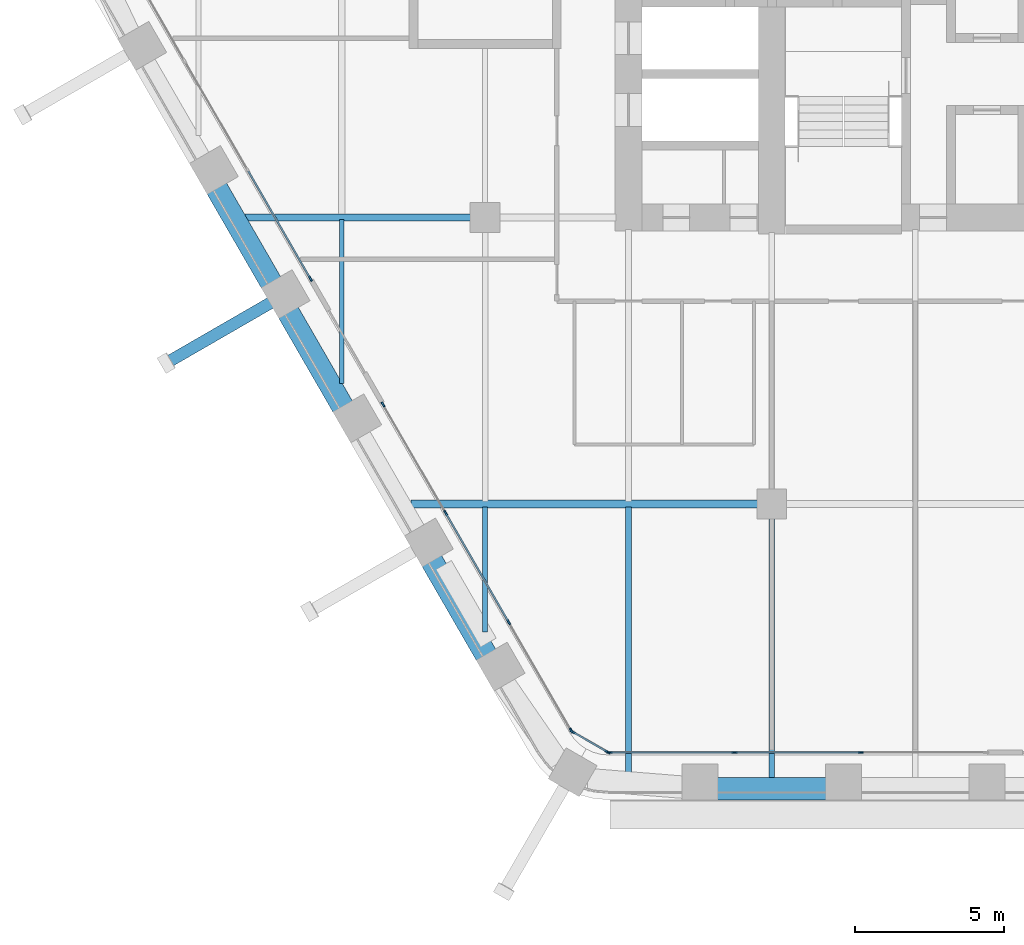
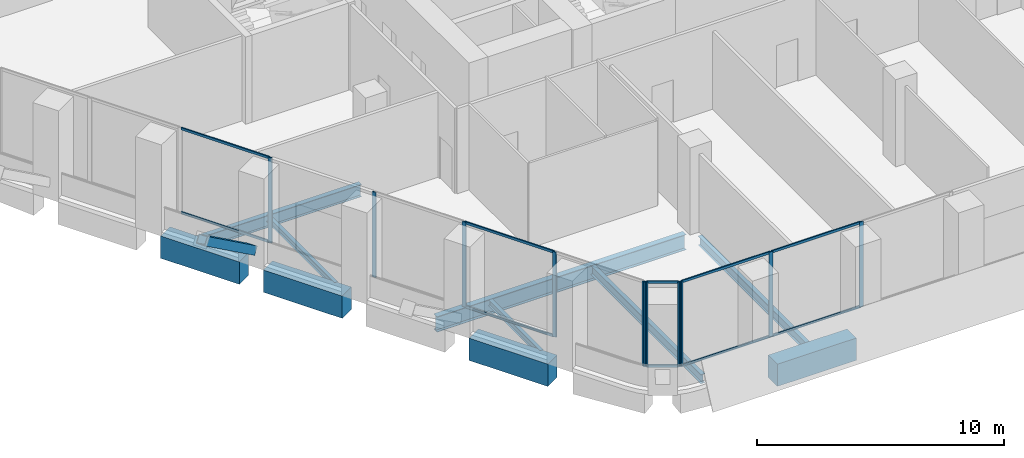
# One storey, part 2 of 27: 21 members, 10 beams, 4 elements without a shape of their own.
"""IFC4 building model written with IfcOpenShell, lengths in metres."""

from ifc_helpers import new_model, si_unit, direction, frame, origin, origin_2d, place, context, subcontext, project, spatial, rectangle, hollow_rectangle, i_section, extrude, material, material_profile, profile_set, type_object, element, aggregate, save


model = new_model("IFC4")

# Units and contexts
model_context = context("Model", 3, precision=1e-05, world=origin(), true_north=direction((0.0, 1.0)))
body_context = subcontext(model_context, "Body", "Model", "MODEL_VIEW")
ifc_project = project(units=[si_unit("LENGTHUNIT", "METRE"), si_unit("AREAUNIT", "SQUARE_METRE"), si_unit("VOLUMEUNIT", "CUBIC_METRE"), si_unit("PLANEANGLEUNIT", "RADIAN"), si_unit("MASSUNIT", "GRAM", prefix="KILO")], contexts=[model_context])

# Site, building, storey
site_placement = place(None, origin())
site = spatial("IfcSite", under=ifc_project, at=site_placement, CompositionType="ELEMENT")
building_placement = place(site_placement, origin())
building = spatial("IfcBuilding", under=site, at=building_placement, Name="Kolab Exchange Tower", CompositionType="ELEMENT")
storey_placement = place(building_placement, frame((0.0, 0.0, 118.39990234375)))
storey = spatial("IfcBuildingStorey", under=building, at=storey_placement, Name="L23", CompositionType="ELEMENT", Elevation=118.39990234375)

# Beams
ifc_material_1 = material(Name="Steel S355", Category="steel")
ifc_material_profile_1 = material_profile(ifc_material_1, i_section(OverallWidth=0.1650390625, OverallDepth=0.31005859375, WebThickness=0.005859375, FlangeThickness=0.009765625, at=origin_2d()), Name="W310X39")
ifc_profile_set_1 = profile_set([ifc_material_profile_1], Name="Steel S355")
beam_type_1 = type_object("IfcBeamType", Name="FLOOR BEAM W310X39", PredefinedType="BEAM", material=ifc_profile_set_1)
beam_1_placement = place(storey_placement, frame((-24.0, -15.167724609375, -0.35498046875), z_axis=(0.0, 1.0, 0.0), x_axis=(-1.0, 0.0, 0.0)))
element("IfcBeam", 1, at=beam_1_placement, inside=storey, type_object=beam_type_1, Name="beam/L23/fr/002", PredefinedType="BEAM", context=body_context, shape_type="SweptSolid", body=[
    extrude(i_section(OverallWidth=0.1650390625, OverallDepth=0.31005859375, WebThickness=0.005859375, FlangeThickness=0.009765625, at=origin_2d()), origin(), (0.0, 0.0, 1.0), 5.49365234375),
])
beam_2_placement = place(storey_placement, frame((-19.199951171875, -23.4814453125, -0.35498046875), z_axis=(0.0, 1.0, 0.0), x_axis=(-1.0, 0.0, 0.0)))
element("IfcBeam", 2, at=beam_2_placement, inside=storey, type_object=beam_type_1, Name="beam/L23/fr/006", PredefinedType="BEAM", context=body_context, shape_type="SweptSolid", body=[
    extrude(i_section(OverallWidth=0.1650390625, OverallDepth=0.31005859375, WebThickness=0.005859375, FlangeThickness=0.009765625, at=origin_2d()), origin(), (0.0, 0.0, 1.0), 4.18798828125),
])
ifc_material_profile_2 = material_profile(ifc_material_1, i_section(OverallWidth=0.18994140625, OverallDepth=0.45703125, WebThickness=0.009033203125, FlangeThickness=0.014404296875, at=origin_2d()), Name="W460X74")
ifc_profile_set_2 = profile_set([ifc_material_profile_2], Name="Steel S355")
beam_type_2 = type_object("IfcBeamType", Name="FLOOR BEAM W460X74", PredefinedType="BEAM", material=ifc_profile_set_2)
beam_3_placement = place(storey_placement, frame((-14.39990234375, -28.194580078125, -0.428466796875), z_axis=(0.0, 1.0, 0.0), x_axis=(-1.0, 0.0, 0.0)))
element("IfcBeam", 3, at=beam_3_placement, inside=storey, type_object=beam_type_2, Name="beam/L23/fr/012", PredefinedType="BEAM", context=body_context, shape_type="SweptSolid", body=[
    extrude(i_section(OverallWidth=0.18994140625, OverallDepth=0.45703125, WebThickness=0.009033203125, FlangeThickness=0.014404296875, at=origin_2d()), origin(), (0.0, 0.0, 1.0), 8.901123046875),
])
beam_4_placement = place(storey_placement, frame((-9.60009765625, -28.388427734375, -0.428466796875), z_axis=(0.0, 1.0, 0.0), x_axis=(-1.0, 0.0, 0.0)))
element("IfcBeam", 4, at=beam_4_placement, inside=storey, type_object=beam_type_2, Name="beam/L23/fr/016", PredefinedType="BEAM", context=body_context, shape_type="SweptSolid", body=[
    extrude(i_section(OverallWidth=0.18994140625, OverallDepth=0.45703125, WebThickness=0.009033203125, FlangeThickness=0.014404296875, at=origin_2d()), origin(), (0.0, 0.0, 1.0), 8.728515625),
])
ifc_material_profile_3 = material_profile(ifc_material_1, i_section(OverallWidth=0.22802734375, OverallDepth=0.60791015625, WebThickness=0.01123046875, FlangeThickness=0.017333984375, at=origin_2d()), Name="W610X113")
ifc_profile_set_3 = profile_set([ifc_material_profile_3], Name="Steel S355")
beam_type_3 = type_object("IfcBeamType", Name="FLOOR GIRDER W610X113", PredefinedType="BEAM", material=ifc_profile_set_3)
beam_5_placement = place(storey_placement, frame((-27.2314453125, -9.60009765625, -0.50390625), z_axis=(1.0, 0.0, 0.0), x_axis=(0.0, 1.0, 0.0)))
element("IfcBeam", 5, at=beam_5_placement, inside=storey, type_object=beam_type_3, Name="beam/L23/gd/001", PredefinedType="BEAM", context=body_context, shape_type="SweptSolid", body=[
    extrude(i_section(OverallWidth=0.22802734375, OverallDepth=0.60791015625, WebThickness=0.01123046875, FlangeThickness=0.017333984375, at=origin_2d()), origin(), (0.0, 0.0, 1.0), 7.571533203125),
])
ifc_material_profile_4 = material_profile(ifc_material_1, i_section(OverallWidth=0.26708984375, OverallDepth=0.761962890625, WebThickness=0.014404296875, FlangeThickness=0.021484375, at=origin_2d()), Name="W760X173")
ifc_profile_set_4 = profile_set([ifc_material_profile_4], Name="Steel S355")
beam_type_4 = type_object("IfcBeamType", Name="FLOOR GIRDER W760X173", PredefinedType="BEAM", material=ifc_profile_set_4)
beam_6_placement = place(storey_placement, frame((-21.688720703125, -19.199951171875, -0.580810546875), z_axis=(1.0, 0.0, 0.0), x_axis=(0.0, 1.0, 0.0)))
element("IfcBeam", 6, at=beam_6_placement, inside=storey, type_object=beam_type_4, Name="beam/L23/gd/003", PredefinedType="BEAM", context=body_context, shape_type="SweptSolid", body=[
    extrude(i_section(OverallWidth=0.26708984375, OverallDepth=0.761962890625, WebThickness=0.014404296875, FlangeThickness=0.021484375, at=origin_2d()), origin(), (0.0, 0.0, 1.0), 11.628662109375),
])

# Member
ifc_material_profile_5 = material_profile(ifc_material_1, hollow_rectangle(XDim=0.39990234375, YDim=0.39990234375, WallThickness=0.02001953125, at=origin_2d()), Name="HSS400X400X20")
ifc_profile_set_5 = profile_set([ifc_material_profile_5], Name="Steel S355")
member_type_1 = type_object("IfcMemberType", Name="LEDGE STRUT HSS400X400X20", PredefinedType="STRUT", material=ifc_profile_set_5)
member_1_placement = place(storey_placement, frame((-26.365478515625, -12.45068359375, 0.60009765625), z_axis=(-0.702030825555, -0.405345642055, 0.585531920938), x_axis=(0.500025864173, -0.866010470582, 0.0)))
element("IfcMember", 7, at=member_1_placement, inside=storey, type_object=member_type_1, Name="mem/L23/ledge/strut-2", PredefinedType="STRUT", context=body_context, shape_type="SweptSolid", body=[
    extrude(hollow_rectangle(XDim=0.39990234375, YDim=0.39990234375, WallThickness=0.02001953125, at=origin_2d()), origin(), (0.0, 0.0, 1.0), 4.9833984375),
])

# Beams
ifc_material_2 = material(Name="Concrete C70/85", Category="concrete")
ifc_material_profile_6 = material_profile(ifc_material_2, rectangle(XDim=0.75, YDim=1.10009765625, at=origin_2d()), Name="RC750X1100")
ifc_profile_set_6 = profile_set([ifc_material_profile_6], Name="Concrete C70/85")
beam_type_5 = type_object("IfcBeamType", Name="SPANDREL BEAM 750X1100 C70/85", PredefinedType="BEAM", material=ifc_profile_set_6)
beam_7_placement = place(storey_placement, frame((-7.760009765625, -28.723388671875, -0.75), z_axis=(-1.0, 0.0, 0.0), x_axis=(0.0, -1.0, 0.0)))
element("IfcBeam", 8, at=beam_7_placement, inside=storey, type_object=beam_type_5, Name="beam/L23/sp/F4-06", PredefinedType="BEAM", context=body_context, shape_type="SweptSolid", body=[
    extrude(rectangle(XDim=0.75, YDim=1.10009765625, at=origin_2d()), origin(), (0.0, 0.0, 1.0), 3.679931640625),
])
beam_8_placement = place(storey_placement, frame((-19.1552734375, -24.26904296875, -0.75), z_axis=(-0.500013413428, 0.866017659399, 0.0), x_axis=(-0.866017659399, -0.500013413428, 0.0)))
element("IfcBeam", 9, at=beam_8_placement, inside=storey, type_object=beam_type_5, Name="beam/L23/sp/F5-02", PredefinedType="BEAM", context=body_context, shape_type="SweptSolid", body=[
    extrude(rectangle(XDim=0.75, YDim=1.10009765625, at=origin_2d()), origin(), (0.0, 0.0, 1.0), 3.68017578125),
])
beam_9_placement = place(storey_placement, frame((-23.955322265625, -15.955322265625, -0.75), z_axis=(-0.499963655964, 0.866046386007, 0.0), x_axis=(-0.866046386007, -0.499963655964, 0.0)))
element("IfcBeam", 10, at=beam_9_placement, inside=storey, type_object=beam_type_5, Name="beam/L23/sp/F5-04", PredefinedType="BEAM", context=body_context, shape_type="SweptSolid", body=[
    extrude(rectangle(XDim=0.75, YDim=1.10009765625, at=origin_2d()), origin(), (0.0, 0.0, 1.0), 3.679931640625),
])
beam_10_placement = place(storey_placement, frame((-26.355224609375, -11.79833984375, -0.75), z_axis=(-0.500013413428, 0.866017659399, 0.0), x_axis=(-0.866017659399, -0.500013413428, 0.0)))
element("IfcBeam", 11, at=beam_10_placement, inside=storey, type_object=beam_type_5, Name="beam/L23/sp/F5-05", PredefinedType="BEAM", context=body_context, shape_type="SweptSolid", body=[
    extrude(rectangle(XDim=0.75, YDim=1.10009765625, at=origin_2d()), origin(), (0.0, 0.0, 1.0), 3.68017578125),
])

# Curtain wall, members
ifc_material_3 = material(Name="Aluminium EN AW-6063 T6", Category="aluminium")
curtain_wall_type = type_object("IfcCurtainWallType", Name="UNITISED LOWER MID ZONE CURTAIN WALL", PredefinedType="NOTDEFINED", material=ifc_material_3)
curtain_wall_1_placement = place(storey_placement, origin())
curtain_wall_1 = element("IfcCurtainWall", 12, at=curtain_wall_1_placement, inside=storey, type_object=curtain_wall_type, Name="cw/L23/F4-2", PredefinedType="NOTDEFINED")
ifc_material_profile_7 = material_profile(ifc_material_3, rectangle(XDim=0.06005859375, YDim=0.179931640625, at=origin_2d()), Name="RECT 60X180")
ifc_profile_set_7 = profile_set([ifc_material_profile_7], Name="Aluminium EN AW-6063 T6")
member_type_2 = type_object("IfcMemberType", Name="UNITISED LOWER MID ZONE MULLION 60 X 180", PredefinedType="MULLION", material=ifc_profile_set_7)
member_2_placement = place(storey_placement, frame((-6.62255859375, -27.5185546875, 0.0), z_axis=(0.0, 0.0, 1.0), x_axis=(0.0, -1.0, 0.0)))
member_2 = element("IfcMember", 13, at=member_2_placement, type_object=member_type_2, Name="CW2 mullion 2", PredefinedType="MULLION", context=body_context, shape_type="SweptSolid", body=[
    extrude(rectangle(XDim=0.06005859375, YDim=0.179931640625, at=origin_2d()), origin(), (0.0, 0.0, 1.0), 4.2001953125),
])
member_3_placement = place(storey_placement, frame((-10.84521484375, -27.5185546875, 0.0), z_axis=(0.0, 0.0, 1.0), x_axis=(0.0, -1.0, 0.0)))
member_3 = element("IfcMember", 14, at=member_3_placement, type_object=member_type_2, Name="CW2 mullion 3", PredefinedType="MULLION", context=body_context, shape_type="SweptSolid", body=[
    extrude(rectangle(XDim=0.06005859375, YDim=0.179931640625, at=origin_2d()), origin(), (0.0, 0.0, 1.0), 4.2001953125),
])
member_4_placement = place(storey_placement, frame((-15.037841796875, -27.5185546875, 0.0), z_axis=(0.0, 0.0, 1.0), x_axis=(0.0, -1.0, 0.0)))
member_4 = element("IfcMember", 15, at=member_4_placement, type_object=member_type_2, Name="CW2 mullion 4", PredefinedType="MULLION", context=body_context, shape_type="SweptSolid", body=[
    extrude(rectangle(XDim=0.06005859375, YDim=0.179931640625, at=origin_2d()), origin(), (0.0, 0.0, 1.0), 4.2001953125),
])

curtain_wall_2_placement = place(storey_placement, origin())
curtain_wall_2 = element("IfcCurtainWall", 16, at=curtain_wall_2_placement, inside=storey, type_object=curtain_wall_type, Name="cw/L23/F5-1", PredefinedType="NOTDEFINED")
member_5_placement = place(storey_placement, frame((-16.312744140625, -26.782470703125, 0.0), z_axis=(0.0, 0.0, 1.0), x_axis=(-0.866025393644, -0.500000017564, 0.0)))
member_5 = element("IfcMember", 17, at=member_5_placement, type_object=member_type_2, Name="CW2 mullion 1", PredefinedType="MULLION", context=body_context, shape_type="SweptSolid", body=[
    extrude(rectangle(XDim=0.06005859375, YDim=0.179931640625, at=origin_2d()), origin(), (0.0, 0.0, 1.0), 4.2001953125),
])
member_6_placement = place(storey_placement, frame((-18.408935546875, -23.151611328125, 0.0), z_axis=(0.0, 0.0, 1.0), x_axis=(-0.866025393644, -0.500000017564, 0.0)))
member_6 = element("IfcMember", 18, at=member_6_placement, type_object=member_type_2, Name="CW2 mullion 2", PredefinedType="MULLION", context=body_context, shape_type="SweptSolid", body=[
    extrude(rectangle(XDim=0.06005859375, YDim=0.179931640625, at=origin_2d()), origin(), (0.0, 0.0, 1.0), 4.2001953125),
])
member_7_placement = place(storey_placement, frame((-20.520263671875, -19.49462890625, 0.0), z_axis=(0.0, 0.0, 1.0), x_axis=(-0.866025393644, -0.500000017564, 0.0)))
member_7 = element("IfcMember", 19, at=member_7_placement, type_object=member_type_2, Name="CW2 mullion 3", PredefinedType="MULLION", context=body_context, shape_type="SweptSolid", body=[
    extrude(rectangle(XDim=0.06005859375, YDim=0.179931640625, at=origin_2d()), origin(), (0.0, 0.0, 1.0), 4.2001953125),
])
member_8_placement = place(storey_placement, frame((-22.61669921875, -15.86376953125, 0.0), z_axis=(0.0, 0.0, 1.0), x_axis=(-0.866025393644, -0.500000017564, 0.0)))
member_8 = element("IfcMember", 20, at=member_8_placement, type_object=member_type_2, Name="CW2 mullion 4", PredefinedType="MULLION", context=body_context, shape_type="SweptSolid", body=[
    extrude(rectangle(XDim=0.06005859375, YDim=0.179931640625, at=origin_2d()), origin(), (0.0, 0.0, 1.0), 4.2001953125),
])

# Curtain wall, member
curtain_wall_3_placement = place(storey_placement, origin())
curtain_wall_3 = element("IfcCurtainWall", 21, at=curtain_wall_3_placement, inside=storey, type_object=curtain_wall_type, Name="cw/L23/F5-2", PredefinedType="NOTDEFINED")
member_9_placement = place(storey_placement, frame((-25.046630859375, -11.65478515625, 0.0), z_axis=(0.0, 0.0, 1.0), x_axis=(-0.866025427826, -0.499999958358, 0.0)))
member_9 = element("IfcMember", 22, at=member_9_placement, type_object=member_type_2, Name="CW2 mullion 1", PredefinedType="MULLION", context=body_context, shape_type="SweptSolid", body=[
    extrude(rectangle(XDim=0.06005859375, YDim=0.179931640625, at=origin_2d()), origin(), (0.0, 0.0, 1.0), 4.2001953125),
])

# Curtain wall, members
curtain_wall_4_placement = place(storey_placement, origin())
curtain_wall_4 = element("IfcCurtainWall", 23, at=curtain_wall_4_placement, inside=storey, type_object=curtain_wall_type, Name="cw/L23/F4F5-corner", PredefinedType="NOTDEFINED")
member_10_placement = place(storey_placement, frame((-15.093994140625, -27.50341796875, 0.0), z_axis=(0.0, 0.0, 1.0), x_axis=(-0.50000002237, -0.866025390869, 0.0)))
member_10 = element("IfcMember", 24, at=member_10_placement, type_object=member_type_2, Name="CW2 mullion 1", PredefinedType="MULLION", context=body_context, shape_type="SweptSolid", body=[
    extrude(rectangle(XDim=0.06005859375, YDim=0.179931640625, at=origin_2d()), origin(), (0.0, 0.0, 1.0), 4.2001953125),
])
member_11_placement = place(storey_placement, frame((-16.271728515625, -26.823486328125, 0.0), z_axis=(0.0, 0.0, 1.0), x_axis=(-0.50000002237, -0.866025390869, 0.0)))
member_11 = element("IfcMember", 25, at=member_11_placement, type_object=member_type_2, Name="CW2 mullion 2", PredefinedType="MULLION", context=body_context, shape_type="SweptSolid", body=[
    extrude(rectangle(XDim=0.06005859375, YDim=0.179931640625, at=origin_2d()), origin(), (0.0, 0.0, 1.0), 4.2001953125),
])

# Member
ifc_material_profile_8 = material_profile(ifc_material_3, rectangle(XDim=0.06005859375, YDim=0.1201171875, at=origin_2d()), Name="RECT 60X120")
ifc_profile_set_8 = profile_set([ifc_material_profile_8], Name="Aluminium EN AW-6063 T6")
member_type_3 = type_object("IfcMemberType", Name="UNITISED LOWER MID ZONE TRANSOM 60 X 120", PredefinedType="USERDEFINED", material=ifc_profile_set_8)
member_12_placement = place(storey_placement, frame((-6.652587890625, -27.5185546875, 0.030029296875), z_axis=(-1.0, 0.0, 0.0), x_axis=(0.0, -1.0, 0.0)))
member_12 = element("IfcMember", 26, at=member_12_placement, type_object=member_type_3, Name="CW2 transom 2.1", ObjectType="TRANSOM", PredefinedType="USERDEFINED", context=body_context, shape_type="SweptSolid", body=[
    extrude(rectangle(XDim=0.06005859375, YDim=0.1201171875, at=origin_2d()), origin(), (0.0, 0.0, 1.0), 4.16259765625),
])

member_13_placement = place(storey_placement, frame((-6.652587890625, -27.5185546875, 4.170166015625), z_axis=(-1.0, 0.0, 0.0), x_axis=(0.0, -1.0, 0.0)))
member_13 = element("IfcMember", 27, at=member_13_placement, type_object=member_type_3, Name="CW2 transom 2.2", ObjectType="TRANSOM", PredefinedType="USERDEFINED", context=body_context, shape_type="SweptSolid", body=[
    extrude(rectangle(XDim=0.06005859375, YDim=0.1201171875, at=origin_2d()), origin(), (0.0, 0.0, 1.0), 4.16259765625),
])

member_14_placement = place(storey_placement, frame((-10.875244140625, -27.5185546875, 0.030029296875), z_axis=(-1.0, 0.0, 0.0), x_axis=(0.0, -1.0, 0.0)))
member_14 = element("IfcMember", 28, at=member_14_placement, type_object=member_type_3, Name="CW2 transom 3.1", ObjectType="TRANSOM", PredefinedType="USERDEFINED", context=body_context, shape_type="SweptSolid", body=[
    extrude(rectangle(XDim=0.06005859375, YDim=0.1201171875, at=origin_2d()), origin(), (0.0, 0.0, 1.0), 4.1328125),
])

member_15_placement = place(storey_placement, frame((-10.875244140625, -27.5185546875, 4.170166015625), z_axis=(-1.0, 0.0, 0.0), x_axis=(0.0, -1.0, 0.0)))
member_15 = element("IfcMember", 29, at=member_15_placement, type_object=member_type_3, Name="CW2 transom 3.2", ObjectType="TRANSOM", PredefinedType="USERDEFINED", context=body_context, shape_type="SweptSolid", body=[
    extrude(rectangle(XDim=0.06005859375, YDim=0.1201171875, at=origin_2d()), origin(), (0.0, 0.0, 1.0), 4.1328125),
])

aggregate(curtain_wall_1, [member_2, member_3, member_4, member_12, member_13, member_14, member_15])

member_16_placement = place(storey_placement, frame((-18.424072265625, -23.12548828125, 0.030029296875), z_axis=(-0.49999322259, 0.866029316688, 0.0), x_axis=(-0.866029316688, -0.49999322259, 0.0)))
member_16 = element("IfcMember", 30, at=member_16_placement, type_object=member_type_3, Name="CW2 transom 2.1", ObjectType="TRANSOM", PredefinedType="USERDEFINED", context=body_context, shape_type="SweptSolid", body=[
    extrude(rectangle(XDim=0.06005859375, YDim=0.1201171875, at=origin_2d()), origin(), (0.0, 0.0, 1.0), 4.16259765625),
])

member_17_placement = place(storey_placement, frame((-18.424072265625, -23.12548828125, 4.170166015625), z_axis=(-0.49999322259, 0.866029316688, 0.0), x_axis=(-0.866029316688, -0.49999322259, 0.0)))
member_17 = element("IfcMember", 31, at=member_17_placement, type_object=member_type_3, Name="CW2 transom 2.2", ObjectType="TRANSOM", PredefinedType="USERDEFINED", context=body_context, shape_type="SweptSolid", body=[
    extrude(rectangle(XDim=0.06005859375, YDim=0.1201171875, at=origin_2d()), origin(), (0.0, 0.0, 1.0), 4.16259765625),
])

aggregate(curtain_wall_2, [member_5, member_6, member_7, member_8, member_16, member_17])

member_18_placement = place(storey_placement, frame((-25.061767578125, -11.62890625, 0.030029296875), z_axis=(-0.499957688808, 0.866049830784, 0.0), x_axis=(-0.866049830784, -0.499957688808, 0.0)))
member_18 = element("IfcMember", 32, at=member_18_placement, type_object=member_type_3, Name="CW2 transom 1.1", ObjectType="TRANSOM", PredefinedType="USERDEFINED", context=body_context, shape_type="SweptSolid", body=[
    extrude(rectangle(XDim=0.06005859375, YDim=0.1201171875, at=origin_2d()), origin(), (0.0, 0.0, 1.0), 4.132568359375),
])

member_19_placement = place(storey_placement, frame((-25.061767578125, -11.62890625, 4.170166015625), z_axis=(-0.499957688808, 0.866049830784, 0.0), x_axis=(-0.866049830784, -0.499957688808, 0.0)))
member_19 = element("IfcMember", 33, at=member_19_placement, type_object=member_type_3, Name="CW2 transom 1.2", ObjectType="TRANSOM", PredefinedType="USERDEFINED", context=body_context, shape_type="SweptSolid", body=[
    extrude(rectangle(XDim=0.06005859375, YDim=0.1201171875, at=origin_2d()), origin(), (0.0, 0.0, 1.0), 4.132568359375),
])

aggregate(curtain_wall_3, [member_9, member_18, member_19])

member_20_placement = place(storey_placement, frame((-15.119873046875, -27.488525390625, 0.030029296875), z_axis=(-0.866004217611, 0.500036693733, 0.0), x_axis=(-0.500036693733, -0.866004217611, 0.0)))
member_20 = element("IfcMember", 34, at=member_20_placement, type_object=member_type_3, Name="CW2 transom 1.1", ObjectType="TRANSOM", PredefinedType="USERDEFINED", context=body_context, shape_type="SweptSolid", body=[
    extrude(rectangle(XDim=0.06005859375, YDim=0.1201171875, at=origin_2d()), origin(), (0.0, 0.0, 1.0), 1.30029296875),
])

member_21_placement = place(storey_placement, frame((-15.119873046875, -27.488525390625, 4.170166015625), z_axis=(-0.866004217611, 0.500036693733, 0.0), x_axis=(-0.500036693733, -0.866004217611, 0.0)))
member_21 = element("IfcMember", 35, at=member_21_placement, type_object=member_type_3, Name="CW2 transom 1.2", ObjectType="TRANSOM", PredefinedType="USERDEFINED", context=body_context, shape_type="SweptSolid", body=[
    extrude(rectangle(XDim=0.06005859375, YDim=0.1201171875, at=origin_2d()), origin(), (0.0, 0.0, 1.0), 1.30029296875),
])

aggregate(curtain_wall_4, [member_10, member_11, member_20, member_21])

save(model, "model.ifc")
